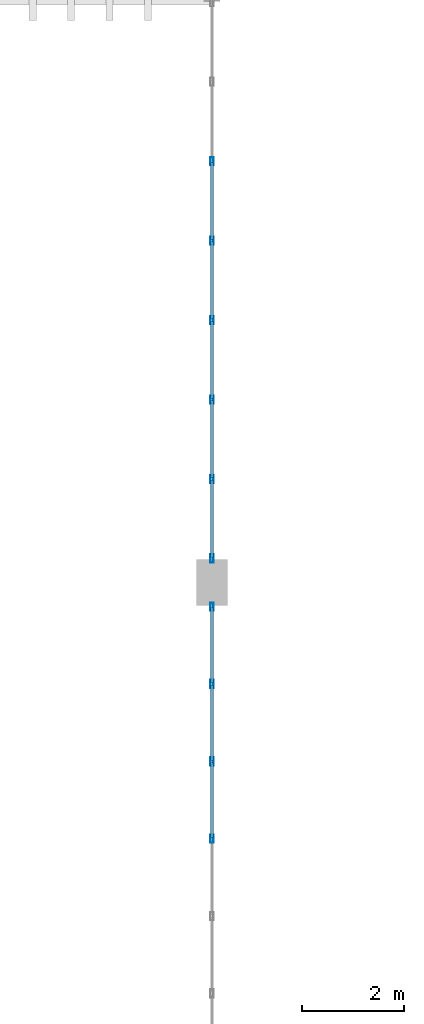
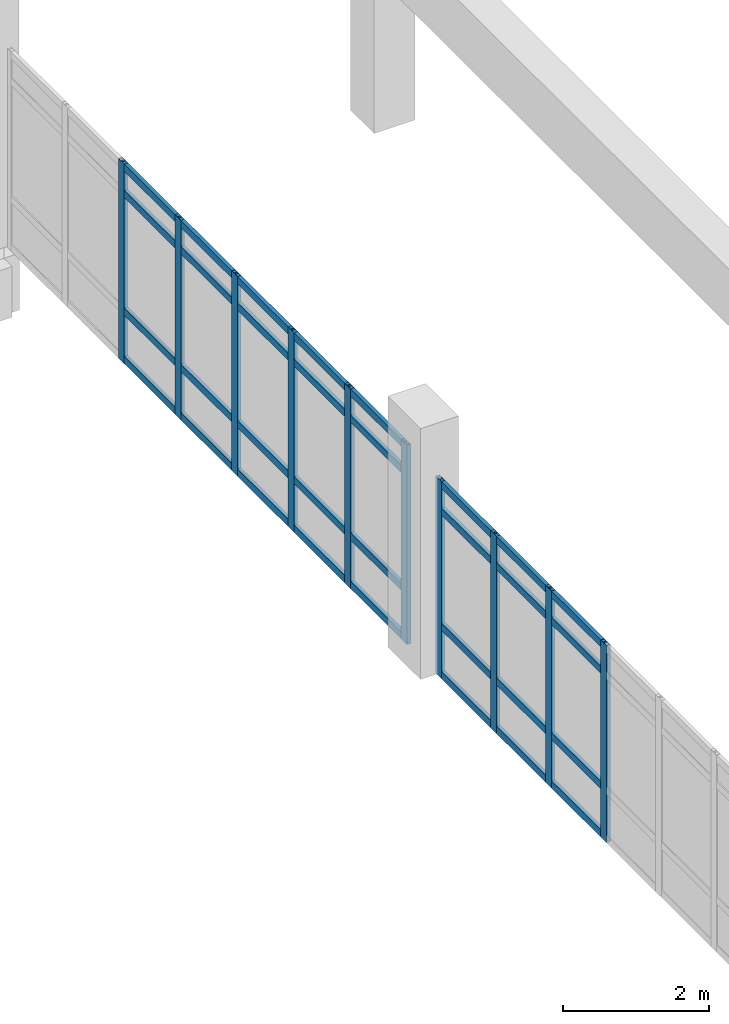
# One storey, part 41 of 111: 42 members, 2 elements without a shape of their own.
"""IFC4 building model written with IfcOpenShell, lengths in metres."""

from ifc_helpers import new_model, si_unit, direction, frame, origin, origin_2d, place, context, subcontext, project, spatial, hollow_rectangle, extrude, material, layer, layer_set, material_profile, profile_set, type_object, element, aggregate, save


model = new_model("IFC4")

# Units and contexts
model_context = context("Model", 3, precision=1e-05, world=origin(), true_north=direction((0.0, 1.0)))
body_context = subcontext(model_context, "Body", "Model", "MODEL_VIEW")
ifc_project = project(units=[si_unit("LENGTHUNIT", "METRE"), si_unit("AREAUNIT", "SQUARE_METRE"), si_unit("VOLUMEUNIT", "CUBIC_METRE"), si_unit("PLANEANGLEUNIT", "RADIAN"), si_unit("MASSUNIT", "GRAM", prefix="KILO")], contexts=[model_context])

# Site, building, storey
site_placement = place(None, origin())
site = spatial("IfcSite", under=ifc_project, at=site_placement, CompositionType="ELEMENT")
building_placement = place(site_placement, origin())
building = spatial("IfcBuilding", under=site, at=building_placement, Name="Mersad Railyard Sports Hall", CompositionType="ELEMENT")
storey_placement = place(building_placement, frame((0.0, 0.0, 9.0)))
storey = spatial("IfcBuildingStorey", under=building, at=storey_placement, Name="L02", CompositionType="ELEMENT", Elevation=9.0)

# Curtain wall, members
ifc_material = material(Name="Aluminium 6063-T6", Category="aluminium")
ifc_layer_1 = layer(ifc_material, 0.159912109375)
ifc_layer_set_1 = layer_set([ifc_layer_1], Name="Aluminium 6063-T6")
curtain_wall_type_1 = type_object("IfcCurtainWallType", Name="ARC-CW-CW17", PredefinedType="USERDEFINED", material=ifc_layer_set_1)
curtain_wall_1_placement = place(storey_placement, origin())
curtain_wall_1 = element("IfcCurtainWall", 1, at=curtain_wall_1_placement, inside=storey, type_object=curtain_wall_type_1, Name="Curtain wall CW17-0077", ObjectType="CURTAIN WALL", PredefinedType="USERDEFINED")
ifc_material_profile_1 = material_profile(ifc_material, hollow_rectangle(XDim=0.06005859375, YDim=0.159912109375, WallThickness=0.00390625, at=origin_2d()), Name="AL MULLION 60x160x4")
ifc_profile_set_1 = profile_set([ifc_material_profile_1], Name="Aluminium 6063-T6")
member_type_1 = type_object("IfcMemberType", Name="ARC-CW-MUL01", PredefinedType="MULLION", material=ifc_profile_set_1)
member_1_placement = place(storey_placement, frame((131.0, 68.5, -0.02001953125), z_axis=(0.0, 0.0, 1.0), x_axis=(1.0, 0.0, 0.0)))
member_1 = element("IfcMember", 2, at=member_1_placement, type_object=member_type_1, Name="CW17 Mullion 4", PredefinedType="MULLION", context=body_context, shape_type="SweptSolid", body=[
    extrude(hollow_rectangle(XDim=0.06005859375, YDim=0.159912109375, WallThickness=0.00390625, at=origin_2d()), origin(), (0.0, 0.0, 1.0), 3.300048828125),
])
member_2_placement = place(storey_placement, frame((131.0, 70.010009765625, -0.02001953125), z_axis=(0.0, 0.0, 1.0), x_axis=(1.0, 0.0, 0.0)))
member_2 = element("IfcMember", 3, at=member_2_placement, type_object=member_type_1, Name="CW17 Mullion 5", PredefinedType="MULLION", context=body_context, shape_type="SweptSolid", body=[
    extrude(hollow_rectangle(XDim=0.06005859375, YDim=0.159912109375, WallThickness=0.00390625, at=origin_2d()), origin(), (0.0, 0.0, 1.0), 3.300048828125),
])
member_3_placement = place(storey_placement, frame((131.0, 71.52001953125, -0.02001953125), z_axis=(0.0, 0.0, 1.0), x_axis=(1.0, 0.0, 0.0)))
member_3 = element("IfcMember", 4, at=member_3_placement, type_object=member_type_1, Name="CW17 Mullion 6", PredefinedType="MULLION", context=body_context, shape_type="SweptSolid", body=[
    extrude(hollow_rectangle(XDim=0.06005859375, YDim=0.159912109375, WallThickness=0.00390625, at=origin_2d()), origin(), (0.0, 0.0, 1.0), 3.300048828125),
])
member_4_placement = place(storey_placement, frame((131.0, 73.030029296875, -0.02001953125), z_axis=(0.0, 0.0, 1.0), x_axis=(1.0, 0.0, 0.0)))
member_4 = element("IfcMember", 5, at=member_4_placement, type_object=member_type_1, Name="CW17 Mullion 7", PredefinedType="MULLION", context=body_context, shape_type="SweptSolid", body=[
    extrude(hollow_rectangle(XDim=0.06005859375, YDim=0.159912109375, WallThickness=0.00390625, at=origin_2d()), origin(), (0.0, 0.0, 1.0), 3.300048828125),
])

ifc_layer_2 = layer(ifc_material, 0.159912109375)
ifc_layer_set_2 = layer_set([ifc_layer_2], Name="Aluminium 6063-T6")
curtain_wall_type_2 = type_object("IfcCurtainWallType", Name="ARC-CW-CW20", PredefinedType="USERDEFINED", material=ifc_layer_set_2)
curtain_wall_2_placement = place(storey_placement, origin())
curtain_wall_2 = element("IfcCurtainWall", 6, at=curtain_wall_2_placement, inside=storey, type_object=curtain_wall_type_2, Name="Curtain wall CW20-0079", ObjectType="CURTAIN WALL", PredefinedType="USERDEFINED")
member_5_placement = place(storey_placement, frame((131.0, 73.969970703125, -0.02001953125), z_axis=(0.0, 0.0, 1.0), x_axis=(1.0, 0.0, 0.0)))
member_5 = element("IfcMember", 7, at=member_5_placement, type_object=member_type_1, Name="CW20 Mullion 1", PredefinedType="MULLION", context=body_context, shape_type="SweptSolid", body=[
    extrude(hollow_rectangle(XDim=0.06005859375, YDim=0.159912109375, WallThickness=0.00390625, at=origin_2d()), origin(), (0.0, 0.0, 1.0), 3.340087890625),
])
member_6_placement = place(storey_placement, frame((131.0, 75.521484375, -0.02001953125), z_axis=(0.0, 0.0, 1.0), x_axis=(1.0, 0.0, 0.0)))
member_6 = element("IfcMember", 8, at=member_6_placement, type_object=member_type_1, Name="CW20 Mullion 2", PredefinedType="MULLION", context=body_context, shape_type="SweptSolid", body=[
    extrude(hollow_rectangle(XDim=0.06005859375, YDim=0.159912109375, WallThickness=0.00390625, at=origin_2d()), origin(), (0.0, 0.0, 1.0), 3.340087890625),
])
member_7_placement = place(storey_placement, frame((131.0, 77.07275390625, -0.02001953125), z_axis=(0.0, 0.0, 1.0), x_axis=(1.0, 0.0, 0.0)))
member_7 = element("IfcMember", 9, at=member_7_placement, type_object=member_type_1, Name="CW20 Mullion 3", PredefinedType="MULLION", context=body_context, shape_type="SweptSolid", body=[
    extrude(hollow_rectangle(XDim=0.06005859375, YDim=0.159912109375, WallThickness=0.00390625, at=origin_2d()), origin(), (0.0, 0.0, 1.0), 3.340087890625),
])
member_8_placement = place(storey_placement, frame((131.0, 78.624267578125, -0.02001953125), z_axis=(0.0, 0.0, 1.0), x_axis=(1.0, 0.0, 0.0)))
member_8 = element("IfcMember", 10, at=member_8_placement, type_object=member_type_1, Name="CW20 Mullion 4", PredefinedType="MULLION", context=body_context, shape_type="SweptSolid", body=[
    extrude(hollow_rectangle(XDim=0.06005859375, YDim=0.159912109375, WallThickness=0.00390625, at=origin_2d()), origin(), (0.0, 0.0, 1.0), 3.340087890625),
])
member_9_placement = place(storey_placement, frame((131.0, 80.17578125, -0.02001953125), z_axis=(0.0, 0.0, 1.0), x_axis=(1.0, 0.0, 0.0)))
member_9 = element("IfcMember", 11, at=member_9_placement, type_object=member_type_1, Name="CW20 Mullion 5", PredefinedType="MULLION", context=body_context, shape_type="SweptSolid", body=[
    extrude(hollow_rectangle(XDim=0.06005859375, YDim=0.159912109375, WallThickness=0.00390625, at=origin_2d()), origin(), (0.0, 0.0, 1.0), 3.340087890625),
])
member_10_placement = place(storey_placement, frame((131.0, 81.72705078125, -0.02001953125), z_axis=(0.0, 0.0, 1.0), x_axis=(1.0, 0.0, 0.0)))
member_10 = element("IfcMember", 12, at=member_10_placement, type_object=member_type_1, Name="CW20 Mullion 6", PredefinedType="MULLION", context=body_context, shape_type="SweptSolid", body=[
    extrude(hollow_rectangle(XDim=0.06005859375, YDim=0.159912109375, WallThickness=0.00390625, at=origin_2d()), origin(), (0.0, 0.0, 1.0), 3.340087890625),
])

# Member
ifc_material_profile_2 = material_profile(ifc_material, hollow_rectangle(XDim=0.06005859375, YDim=0.1201171875, WallThickness=0.00390625, at=origin_2d()), Name="AL TRANSOM 60x120x4")
ifc_profile_set_2 = profile_set([ifc_material_profile_2], Name="Aluminium 6063-T6")
member_type_2 = type_object("IfcMemberType", Name="ARC-CW-TRN01", PredefinedType="USERDEFINED", material=ifc_profile_set_2)
member_11_placement = place(storey_placement, frame((131.0, 68.52001953125, 0.0400390625), z_axis=(0.0, 1.0, 0.0), x_axis=(-1.0, 0.0, 0.0)))
member_11 = element("IfcMember", 13, at=member_11_placement, type_object=member_type_2, Name="CW17 Transom 1-4", ObjectType="TRANSOM", PredefinedType="USERDEFINED", context=body_context, shape_type="SweptSolid", body=[
    extrude(hollow_rectangle(XDim=0.06005859375, YDim=0.1201171875, WallThickness=0.00390625, at=origin_2d()), origin(), (0.0, 0.0, 1.0), 1.469970703125),
])

member_12_placement = place(storey_placement, frame((131.0, 70.030029296875, 0.0400390625), z_axis=(0.0, 1.0, 0.0), x_axis=(-1.0, 0.0, 0.0)))
member_12 = element("IfcMember", 14, at=member_12_placement, type_object=member_type_2, Name="CW17 Transom 1-5", ObjectType="TRANSOM", PredefinedType="USERDEFINED", context=body_context, shape_type="SweptSolid", body=[
    extrude(hollow_rectangle(XDim=0.06005859375, YDim=0.1201171875, WallThickness=0.00390625, at=origin_2d()), origin(), (0.0, 0.0, 1.0), 1.469970703125),
])

member_13_placement = place(storey_placement, frame((131.0, 71.5400390625, 0.0400390625), z_axis=(0.0, 1.0, 0.0), x_axis=(-1.0, 0.0, 0.0)))
member_13 = element("IfcMember", 15, at=member_13_placement, type_object=member_type_2, Name="CW17 Transom 1-6", ObjectType="TRANSOM", PredefinedType="USERDEFINED", context=body_context, shape_type="SweptSolid", body=[
    extrude(hollow_rectangle(XDim=0.06005859375, YDim=0.1201171875, WallThickness=0.00390625, at=origin_2d()), origin(), (0.0, 0.0, 1.0), 1.469970703125),
])

member_14_placement = place(storey_placement, frame((131.0, 68.52001953125, 0.85009765625), z_axis=(0.0, 1.0, 0.0), x_axis=(-1.0, 0.0, 0.0)))
member_14 = element("IfcMember", 16, at=member_14_placement, type_object=member_type_2, Name="CW17 Transom 2-4", ObjectType="TRANSOM", PredefinedType="USERDEFINED", context=body_context, shape_type="SweptSolid", body=[
    extrude(hollow_rectangle(XDim=0.06005859375, YDim=0.1201171875, WallThickness=0.00390625, at=origin_2d()), origin(), (0.0, 0.0, 1.0), 1.469970703125),
])

member_15_placement = place(storey_placement, frame((131.0, 70.030029296875, 0.85009765625), z_axis=(0.0, 1.0, 0.0), x_axis=(-1.0, 0.0, 0.0)))
member_15 = element("IfcMember", 17, at=member_15_placement, type_object=member_type_2, Name="CW17 Transom 2-5", ObjectType="TRANSOM", PredefinedType="USERDEFINED", context=body_context, shape_type="SweptSolid", body=[
    extrude(hollow_rectangle(XDim=0.06005859375, YDim=0.1201171875, WallThickness=0.00390625, at=origin_2d()), origin(), (0.0, 0.0, 1.0), 1.469970703125),
])

member_16_placement = place(storey_placement, frame((131.0, 71.5400390625, 0.85009765625), z_axis=(0.0, 1.0, 0.0), x_axis=(-1.0, 0.0, 0.0)))
member_16 = element("IfcMember", 18, at=member_16_placement, type_object=member_type_2, Name="CW17 Transom 2-6", ObjectType="TRANSOM", PredefinedType="USERDEFINED", context=body_context, shape_type="SweptSolid", body=[
    extrude(hollow_rectangle(XDim=0.06005859375, YDim=0.1201171875, WallThickness=0.00390625, at=origin_2d()), origin(), (0.0, 0.0, 1.0), 1.469970703125),
])

member_17_placement = place(storey_placement, frame((131.0, 68.52001953125, 2.780029296875), z_axis=(0.0, 1.0, 0.0), x_axis=(-1.0, 0.0, 0.0)))
member_17 = element("IfcMember", 19, at=member_17_placement, type_object=member_type_2, Name="CW17 Transom 3-4", ObjectType="TRANSOM", PredefinedType="USERDEFINED", context=body_context, shape_type="SweptSolid", body=[
    extrude(hollow_rectangle(XDim=0.06005859375, YDim=0.1201171875, WallThickness=0.00390625, at=origin_2d()), origin(), (0.0, 0.0, 1.0), 1.469970703125),
])

member_18_placement = place(storey_placement, frame((131.0, 70.030029296875, 2.780029296875), z_axis=(0.0, 1.0, 0.0), x_axis=(-1.0, 0.0, 0.0)))
member_18 = element("IfcMember", 20, at=member_18_placement, type_object=member_type_2, Name="CW17 Transom 3-5", ObjectType="TRANSOM", PredefinedType="USERDEFINED", context=body_context, shape_type="SweptSolid", body=[
    extrude(hollow_rectangle(XDim=0.06005859375, YDim=0.1201171875, WallThickness=0.00390625, at=origin_2d()), origin(), (0.0, 0.0, 1.0), 1.469970703125),
])

member_19_placement = place(storey_placement, frame((131.0, 71.5400390625, 2.780029296875), z_axis=(0.0, 1.0, 0.0), x_axis=(-1.0, 0.0, 0.0)))
member_19 = element("IfcMember", 21, at=member_19_placement, type_object=member_type_2, Name="CW17 Transom 3-6", ObjectType="TRANSOM", PredefinedType="USERDEFINED", context=body_context, shape_type="SweptSolid", body=[
    extrude(hollow_rectangle(XDim=0.06005859375, YDim=0.1201171875, WallThickness=0.00390625, at=origin_2d()), origin(), (0.0, 0.0, 1.0), 1.469970703125),
])

member_20_placement = place(storey_placement, frame((131.0, 68.52001953125, 3.219970703125), z_axis=(0.0, 1.0, 0.0), x_axis=(-1.0, 0.0, 0.0)))
member_20 = element("IfcMember", 22, at=member_20_placement, type_object=member_type_2, Name="CW17 Transom 4-4", ObjectType="TRANSOM", PredefinedType="USERDEFINED", context=body_context, shape_type="SweptSolid", body=[
    extrude(hollow_rectangle(XDim=0.06005859375, YDim=0.1201171875, WallThickness=0.00390625, at=origin_2d()), origin(), (0.0, 0.0, 1.0), 1.469970703125),
])

member_21_placement = place(storey_placement, frame((131.0, 70.030029296875, 3.219970703125), z_axis=(0.0, 1.0, 0.0), x_axis=(-1.0, 0.0, 0.0)))
member_21 = element("IfcMember", 23, at=member_21_placement, type_object=member_type_2, Name="CW17 Transom 4-5", ObjectType="TRANSOM", PredefinedType="USERDEFINED", context=body_context, shape_type="SweptSolid", body=[
    extrude(hollow_rectangle(XDim=0.06005859375, YDim=0.1201171875, WallThickness=0.00390625, at=origin_2d()), origin(), (0.0, 0.0, 1.0), 1.469970703125),
])

member_22_placement = place(storey_placement, frame((131.0, 71.5400390625, 3.219970703125), z_axis=(0.0, 1.0, 0.0), x_axis=(-1.0, 0.0, 0.0)))
member_22 = element("IfcMember", 24, at=member_22_placement, type_object=member_type_2, Name="CW17 Transom 4-6", ObjectType="TRANSOM", PredefinedType="USERDEFINED", context=body_context, shape_type="SweptSolid", body=[
    extrude(hollow_rectangle(XDim=0.06005859375, YDim=0.1201171875, WallThickness=0.00390625, at=origin_2d()), origin(), (0.0, 0.0, 1.0), 1.469970703125),
])

aggregate(curtain_wall_1, [member_1, member_2, member_3, member_4, member_11, member_12, member_13, member_14, member_15, member_16, member_17, member_18, member_19, member_20, member_21, member_22])

member_23_placement = place(storey_placement, frame((131.0, 73.989990234375, 0.0400390625), z_axis=(0.0, 1.0, 0.0), x_axis=(-1.0, 0.0, 0.0)))
member_23 = element("IfcMember", 25, at=member_23_placement, type_object=member_type_2, Name="CW20 Transom 1-1", ObjectType="TRANSOM", PredefinedType="USERDEFINED", context=body_context, shape_type="SweptSolid", body=[
    extrude(hollow_rectangle(XDim=0.06005859375, YDim=0.1201171875, WallThickness=0.00390625, at=origin_2d()), origin(), (0.0, 0.0, 1.0), 1.511474609375),
])

member_24_placement = place(storey_placement, frame((131.0, 75.54150390625, 0.0400390625), z_axis=(0.0, 1.0, 0.0), x_axis=(-1.0, 0.0, 0.0)))
member_24 = element("IfcMember", 26, at=member_24_placement, type_object=member_type_2, Name="CW20 Transom 1-2", ObjectType="TRANSOM", PredefinedType="USERDEFINED", context=body_context, shape_type="SweptSolid", body=[
    extrude(hollow_rectangle(XDim=0.06005859375, YDim=0.1201171875, WallThickness=0.00390625, at=origin_2d()), origin(), (0.0, 0.0, 1.0), 1.511474609375),
])

member_25_placement = place(storey_placement, frame((131.0, 77.0927734375, 0.0400390625), z_axis=(0.0, 1.0, 0.0), x_axis=(-1.0, 0.0, 0.0)))
member_25 = element("IfcMember", 27, at=member_25_placement, type_object=member_type_2, Name="CW20 Transom 1-3", ObjectType="TRANSOM", PredefinedType="USERDEFINED", context=body_context, shape_type="SweptSolid", body=[
    extrude(hollow_rectangle(XDim=0.06005859375, YDim=0.1201171875, WallThickness=0.00390625, at=origin_2d()), origin(), (0.0, 0.0, 1.0), 1.511474609375),
])

member_26_placement = place(storey_placement, frame((131.0, 78.644287109375, 0.0400390625), z_axis=(0.0, 1.0, 0.0), x_axis=(-1.0, 0.0, 0.0)))
member_26 = element("IfcMember", 28, at=member_26_placement, type_object=member_type_2, Name="CW20 Transom 1-4", ObjectType="TRANSOM", PredefinedType="USERDEFINED", context=body_context, shape_type="SweptSolid", body=[
    extrude(hollow_rectangle(XDim=0.06005859375, YDim=0.1201171875, WallThickness=0.00390625, at=origin_2d()), origin(), (0.0, 0.0, 1.0), 1.511474609375),
])

member_27_placement = place(storey_placement, frame((131.0, 80.19580078125, 0.0400390625), z_axis=(0.0, 1.0, 0.0), x_axis=(-1.0, 0.0, 0.0)))
member_27 = element("IfcMember", 29, at=member_27_placement, type_object=member_type_2, Name="CW20 Transom 1-5", ObjectType="TRANSOM", PredefinedType="USERDEFINED", context=body_context, shape_type="SweptSolid", body=[
    extrude(hollow_rectangle(XDim=0.06005859375, YDim=0.1201171875, WallThickness=0.00390625, at=origin_2d()), origin(), (0.0, 0.0, 1.0), 1.51123046875),
])

member_28_placement = place(storey_placement, frame((131.0, 73.989990234375, 0.85009765625), z_axis=(0.0, 1.0, 0.0), x_axis=(-1.0, 0.0, 0.0)))
member_28 = element("IfcMember", 30, at=member_28_placement, type_object=member_type_2, Name="CW20 Transom 2-1", ObjectType="TRANSOM", PredefinedType="USERDEFINED", context=body_context, shape_type="SweptSolid", body=[
    extrude(hollow_rectangle(XDim=0.06005859375, YDim=0.1201171875, WallThickness=0.00390625, at=origin_2d()), origin(), (0.0, 0.0, 1.0), 1.511474609375),
])

member_29_placement = place(storey_placement, frame((131.0, 75.54150390625, 0.85009765625), z_axis=(0.0, 1.0, 0.0), x_axis=(-1.0, 0.0, 0.0)))
member_29 = element("IfcMember", 31, at=member_29_placement, type_object=member_type_2, Name="CW20 Transom 2-2", ObjectType="TRANSOM", PredefinedType="USERDEFINED", context=body_context, shape_type="SweptSolid", body=[
    extrude(hollow_rectangle(XDim=0.06005859375, YDim=0.1201171875, WallThickness=0.00390625, at=origin_2d()), origin(), (0.0, 0.0, 1.0), 1.511474609375),
])

member_30_placement = place(storey_placement, frame((131.0, 77.0927734375, 0.85009765625), z_axis=(0.0, 1.0, 0.0), x_axis=(-1.0, 0.0, 0.0)))
member_30 = element("IfcMember", 32, at=member_30_placement, type_object=member_type_2, Name="CW20 Transom 2-3", ObjectType="TRANSOM", PredefinedType="USERDEFINED", context=body_context, shape_type="SweptSolid", body=[
    extrude(hollow_rectangle(XDim=0.06005859375, YDim=0.1201171875, WallThickness=0.00390625, at=origin_2d()), origin(), (0.0, 0.0, 1.0), 1.511474609375),
])

member_31_placement = place(storey_placement, frame((131.0, 78.644287109375, 0.85009765625), z_axis=(0.0, 1.0, 0.0), x_axis=(-1.0, 0.0, 0.0)))
member_31 = element("IfcMember", 33, at=member_31_placement, type_object=member_type_2, Name="CW20 Transom 2-4", ObjectType="TRANSOM", PredefinedType="USERDEFINED", context=body_context, shape_type="SweptSolid", body=[
    extrude(hollow_rectangle(XDim=0.06005859375, YDim=0.1201171875, WallThickness=0.00390625, at=origin_2d()), origin(), (0.0, 0.0, 1.0), 1.511474609375),
])

member_32_placement = place(storey_placement, frame((131.0, 80.19580078125, 0.85009765625), z_axis=(0.0, 1.0, 0.0), x_axis=(-1.0, 0.0, 0.0)))
member_32 = element("IfcMember", 34, at=member_32_placement, type_object=member_type_2, Name="CW20 Transom 2-5", ObjectType="TRANSOM", PredefinedType="USERDEFINED", context=body_context, shape_type="SweptSolid", body=[
    extrude(hollow_rectangle(XDim=0.06005859375, YDim=0.1201171875, WallThickness=0.00390625, at=origin_2d()), origin(), (0.0, 0.0, 1.0), 1.51123046875),
])

member_33_placement = place(storey_placement, frame((131.0, 73.989990234375, 2.820068359375), z_axis=(0.0, 1.0, 0.0), x_axis=(-1.0, 0.0, 0.0)))
member_33 = element("IfcMember", 35, at=member_33_placement, type_object=member_type_2, Name="CW20 Transom 3-1", ObjectType="TRANSOM", PredefinedType="USERDEFINED", context=body_context, shape_type="SweptSolid", body=[
    extrude(hollow_rectangle(XDim=0.06005859375, YDim=0.1201171875, WallThickness=0.00390625, at=origin_2d()), origin(), (0.0, 0.0, 1.0), 1.511474609375),
])

member_34_placement = place(storey_placement, frame((131.0, 75.54150390625, 2.820068359375), z_axis=(0.0, 1.0, 0.0), x_axis=(-1.0, 0.0, 0.0)))
member_34 = element("IfcMember", 36, at=member_34_placement, type_object=member_type_2, Name="CW20 Transom 3-2", ObjectType="TRANSOM", PredefinedType="USERDEFINED", context=body_context, shape_type="SweptSolid", body=[
    extrude(hollow_rectangle(XDim=0.06005859375, YDim=0.1201171875, WallThickness=0.00390625, at=origin_2d()), origin(), (0.0, 0.0, 1.0), 1.511474609375),
])

member_35_placement = place(storey_placement, frame((131.0, 77.0927734375, 2.820068359375), z_axis=(0.0, 1.0, 0.0), x_axis=(-1.0, 0.0, 0.0)))
member_35 = element("IfcMember", 37, at=member_35_placement, type_object=member_type_2, Name="CW20 Transom 3-3", ObjectType="TRANSOM", PredefinedType="USERDEFINED", context=body_context, shape_type="SweptSolid", body=[
    extrude(hollow_rectangle(XDim=0.06005859375, YDim=0.1201171875, WallThickness=0.00390625, at=origin_2d()), origin(), (0.0, 0.0, 1.0), 1.511474609375),
])

member_36_placement = place(storey_placement, frame((131.0, 78.644287109375, 2.820068359375), z_axis=(0.0, 1.0, 0.0), x_axis=(-1.0, 0.0, 0.0)))
member_36 = element("IfcMember", 38, at=member_36_placement, type_object=member_type_2, Name="CW20 Transom 3-4", ObjectType="TRANSOM", PredefinedType="USERDEFINED", context=body_context, shape_type="SweptSolid", body=[
    extrude(hollow_rectangle(XDim=0.06005859375, YDim=0.1201171875, WallThickness=0.00390625, at=origin_2d()), origin(), (0.0, 0.0, 1.0), 1.511474609375),
])

member_37_placement = place(storey_placement, frame((131.0, 80.19580078125, 2.820068359375), z_axis=(0.0, 1.0, 0.0), x_axis=(-1.0, 0.0, 0.0)))
member_37 = element("IfcMember", 39, at=member_37_placement, type_object=member_type_2, Name="CW20 Transom 3-5", ObjectType="TRANSOM", PredefinedType="USERDEFINED", context=body_context, shape_type="SweptSolid", body=[
    extrude(hollow_rectangle(XDim=0.06005859375, YDim=0.1201171875, WallThickness=0.00390625, at=origin_2d()), origin(), (0.0, 0.0, 1.0), 1.51123046875),
])

member_38_placement = place(storey_placement, frame((131.0, 73.989990234375, 3.260009765625), z_axis=(0.0, 1.0, 0.0), x_axis=(-1.0, 0.0, 0.0)))
member_38 = element("IfcMember", 40, at=member_38_placement, type_object=member_type_2, Name="CW20 Transom 4-1", ObjectType="TRANSOM", PredefinedType="USERDEFINED", context=body_context, shape_type="SweptSolid", body=[
    extrude(hollow_rectangle(XDim=0.06005859375, YDim=0.1201171875, WallThickness=0.00390625, at=origin_2d()), origin(), (0.0, 0.0, 1.0), 1.511474609375),
])

member_39_placement = place(storey_placement, frame((131.0, 75.54150390625, 3.260009765625), z_axis=(0.0, 1.0, 0.0), x_axis=(-1.0, 0.0, 0.0)))
member_39 = element("IfcMember", 41, at=member_39_placement, type_object=member_type_2, Name="CW20 Transom 4-2", ObjectType="TRANSOM", PredefinedType="USERDEFINED", context=body_context, shape_type="SweptSolid", body=[
    extrude(hollow_rectangle(XDim=0.06005859375, YDim=0.1201171875, WallThickness=0.00390625, at=origin_2d()), origin(), (0.0, 0.0, 1.0), 1.511474609375),
])

member_40_placement = place(storey_placement, frame((131.0, 77.0927734375, 3.260009765625), z_axis=(0.0, 1.0, 0.0), x_axis=(-1.0, 0.0, 0.0)))
member_40 = element("IfcMember", 42, at=member_40_placement, type_object=member_type_2, Name="CW20 Transom 4-3", ObjectType="TRANSOM", PredefinedType="USERDEFINED", context=body_context, shape_type="SweptSolid", body=[
    extrude(hollow_rectangle(XDim=0.06005859375, YDim=0.1201171875, WallThickness=0.00390625, at=origin_2d()), origin(), (0.0, 0.0, 1.0), 1.511474609375),
])

member_41_placement = place(storey_placement, frame((131.0, 78.644287109375, 3.260009765625), z_axis=(0.0, 1.0, 0.0), x_axis=(-1.0, 0.0, 0.0)))
member_41 = element("IfcMember", 43, at=member_41_placement, type_object=member_type_2, Name="CW20 Transom 4-4", ObjectType="TRANSOM", PredefinedType="USERDEFINED", context=body_context, shape_type="SweptSolid", body=[
    extrude(hollow_rectangle(XDim=0.06005859375, YDim=0.1201171875, WallThickness=0.00390625, at=origin_2d()), origin(), (0.0, 0.0, 1.0), 1.511474609375),
])

member_42_placement = place(storey_placement, frame((131.0, 80.19580078125, 3.260009765625), z_axis=(0.0, 1.0, 0.0), x_axis=(-1.0, 0.0, 0.0)))
member_42 = element("IfcMember", 44, at=member_42_placement, type_object=member_type_2, Name="CW20 Transom 4-5", ObjectType="TRANSOM", PredefinedType="USERDEFINED", context=body_context, shape_type="SweptSolid", body=[
    extrude(hollow_rectangle(XDim=0.06005859375, YDim=0.1201171875, WallThickness=0.00390625, at=origin_2d()), origin(), (0.0, 0.0, 1.0), 1.51123046875),
])

aggregate(curtain_wall_2, [member_5, member_6, member_7, member_8, member_9, member_10, member_23, member_24, member_25, member_26, member_27, member_28, member_29, member_30, member_31, member_32, member_33, member_34, member_35, member_36, member_37, member_38, member_39, member_40, member_41, member_42])

save(model, "model.ifc")
